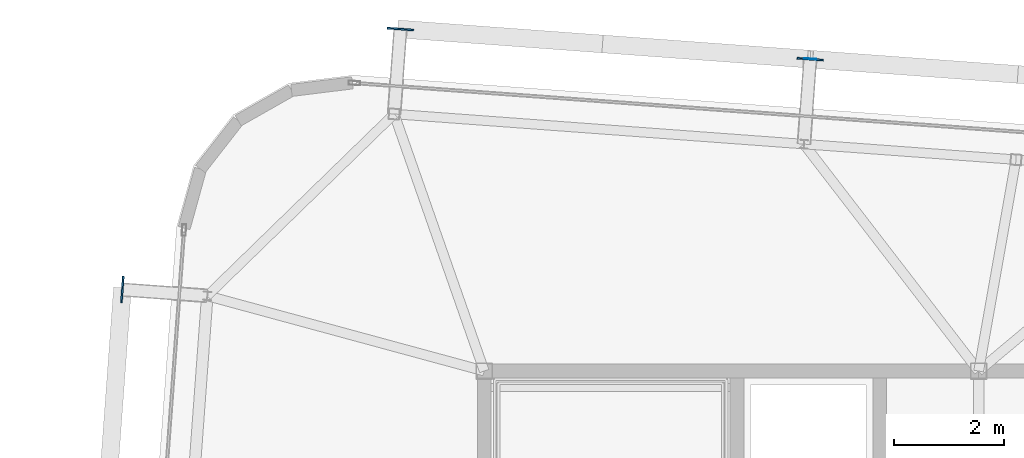
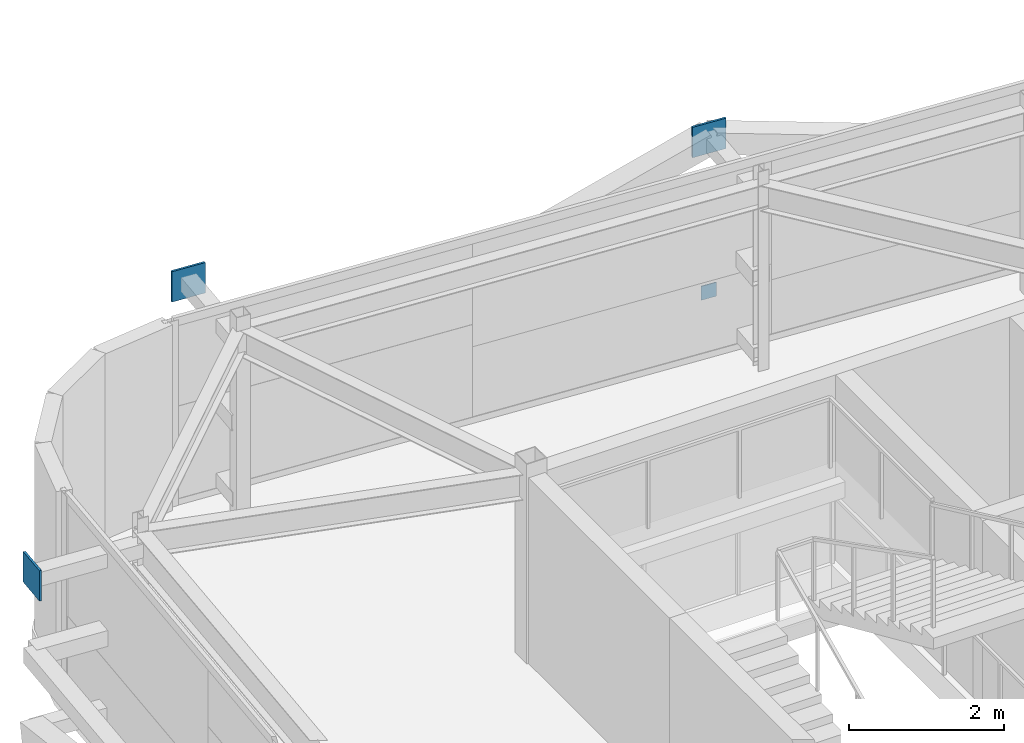
# One storey, part 30 of 37: 4 plates.
"""IFC4 building model written with IfcOpenShell, lengths in metres."""

from ifc_helpers import new_model, si_unit, direction, frame, origin, origin_2d, place, context, subcontext, project, spatial, rectangle, extrude, source, transform, mapped, material, layer, layer_set, type_object, element, save


model = new_model("IFC4")

# Units and contexts
model_context = context("Model", 3, precision=1e-05, world=origin(), true_north=direction((0.0, 1.0)))
body_context = subcontext(model_context, "Body", "Model", "MODEL_VIEW")
ifc_project = project(units=[si_unit("LENGTHUNIT", "METRE"), si_unit("AREAUNIT", "SQUARE_METRE"), si_unit("VOLUMEUNIT", "CUBIC_METRE"), si_unit("PLANEANGLEUNIT", "RADIAN"), si_unit("MASSUNIT", "GRAM", prefix="KILO")], contexts=[model_context])

# Site, building, storey
site_placement = place(None, origin())
site = spatial("IfcSite", under=ifc_project, at=site_placement, CompositionType="ELEMENT")
building_placement = place(site_placement, origin())
building = spatial("IfcBuilding", under=site, at=building_placement, Name="Taldren Reach Tower", CompositionType="ELEMENT")
storey_placement = place(building_placement, frame((0.0, 0.0, 211.39990234375)))
storey = spatial("IfcBuildingStorey", under=building, at=storey_placement, Name="L64", CompositionType="ELEMENT", Elevation=211.39990234375)

# Plates
ifc_material = material(Name="Steel Gr 450 (C450L0)", Category="steel")
ifc_layer_1 = layer(ifc_material, 0.031982421875)
ifc_layer_set_1 = layer_set([ifc_layer_1], Name="Steel Gr 450 (C450L0)")
plate_type_1 = type_object("IfcPlateType", Name="PL-GUSSET-32", PredefinedType="SHEET", material=ifc_layer_set_1)
shared_shape_1 = source(origin(), body_context, "Body", "SweptSolid", [
    extrude(rectangle(XDim=0.47998046875, YDim=0.031982421875, at=origin_2d()), origin(), (0.0, 0.0, 1.0), 0.47998046875),
])
for number, where, z_axis, x_axis, name in (
    (1, (17.473388671875, 38.224609375, 2.41015625), (0.0, 0.0, 1.0), (0.997314477224, -0.073238197128, 0.0), "Exoskeleton star-node gusset plate B5-N1 L64"),
    (2, (24.93310546875, 37.677001953125, 2.41015625), (0.0, 0.0, 1.0), (0.997314477224, -0.073238197128, 0.0), "Exoskeleton star-node gusset plate B5-N2 L64"),
    (3, (12.412353515625, 33.482666015625, 2.41015625), (0.0, 0.0, 1.0), (0.073238197128, 0.997314477224, 0.0), "Exoskeleton star-node gusset plate B5-W3 L64"),
):
    element("IfcPlate", number, at=place(storey_placement, frame(where, z_axis=z_axis, x_axis=x_axis)), inside=storey, type_object=plate_type_1, Name=name, PredefinedType="SHEET", context=body_context, shape_type="MappedRepresentation", body=[
        mapped(shared_shape_1, transform((0.0, 0.0, 0.0), scale=1.0)),
    ])
ifc_layer_2 = layer(ifc_material, 0.011962890625)
ifc_layer_set_2 = layer_set([ifc_layer_2], Name="Steel Gr 450 (C450L0)")
plate_type_2 = type_object("IfcPlateType", Name="PL-CAP-220", PredefinedType="SHEET", material=ifc_layer_set_2)
shared_shape_2 = source(origin(), body_context, "Body", "SweptSolid", [
    extrude(rectangle(XDim=0.219970703125, YDim=0.011962890625, at=origin_2d()), origin(), (0.0, 0.0, 1.0), 0.219970703125),
])
plate_placement = place(storey_placement, frame((24.93359375, 37.682861328125, 0.1103515625), z_axis=(0.0, 0.0, 1.0), x_axis=(0.997314477224, -0.073238197128, 0.0)))
element("IfcPlate", 4, at=plate_placement, inside=storey, type_object=plate_type_2, Name="Tie strut end cap plate B5-N2 L64", PredefinedType="SHEET", context=body_context, shape_type="MappedRepresentation", body=[
    mapped(shared_shape_2, transform((0.0, 0.0, 0.0), scale=1.0)),
])

save(model, "model.ifc")
